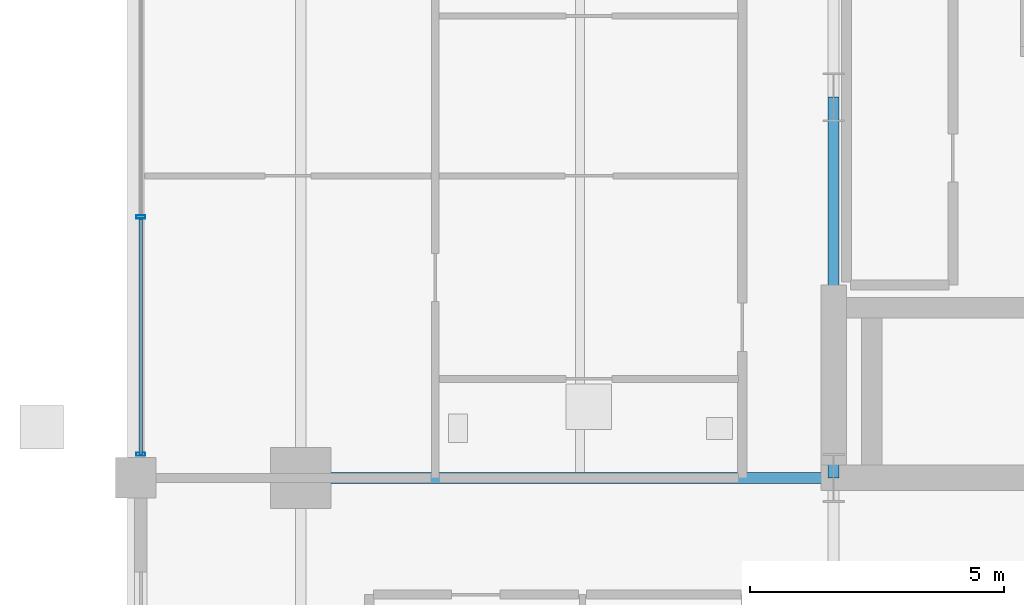
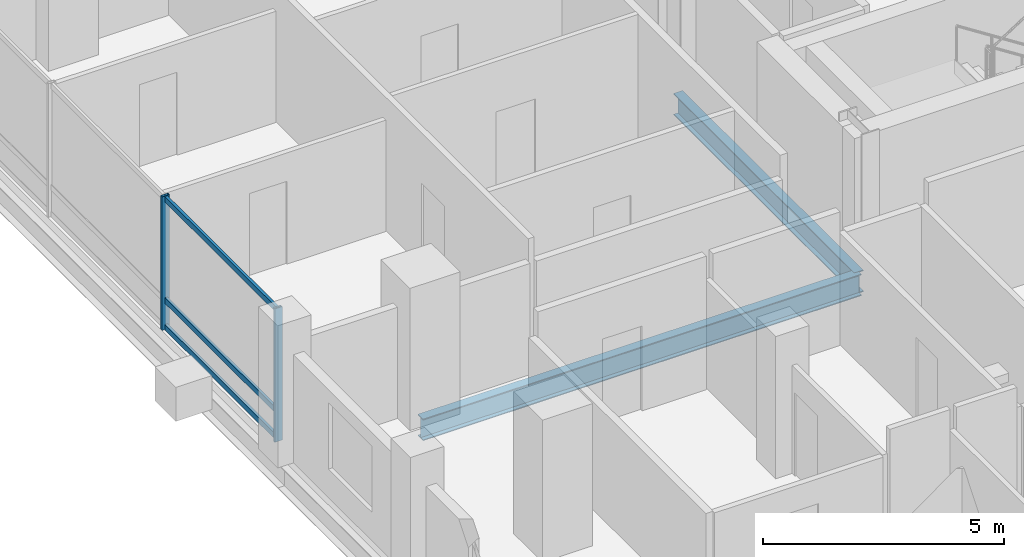
# One storey, part 4 of 20: 5 members, 2 beams, 1 element without a shape of its own.
"""IFC4 building model written with IfcOpenShell, lengths in metres."""

from ifc_helpers import new_model, si_unit, direction, frame, origin, origin_2d, place, context, subcontext, project, spatial, hollow_rectangle, i_section, extrude, material, layer, layer_set, material_profile, profile_set, type_object, element, aggregate, save


model = new_model("IFC4")

# Units and contexts
model_context = context("Model", 3, precision=1e-05, world=origin(), true_north=direction((0.0, 1.0)))
body_context = subcontext(model_context, "Body", "Model", "MODEL_VIEW")
ifc_project = project(units=[si_unit("LENGTHUNIT", "METRE"), si_unit("AREAUNIT", "SQUARE_METRE"), si_unit("VOLUMEUNIT", "CUBIC_METRE"), si_unit("PLANEANGLEUNIT", "RADIAN"), si_unit("MASSUNIT", "GRAM", prefix="KILO")], contexts=[model_context])

# Site, building, storey
site_placement = place(None, origin())
site = spatial("IfcSite", under=ifc_project, at=site_placement, CompositionType="ELEMENT")
building_placement = place(site_placement, origin())
building = spatial("IfcBuilding", under=site, at=building_placement, Name="Barlavira Tower and Art Museum", CompositionType="ELEMENT")
storey_placement = place(building_placement, frame((0.0, 0.0, 136.800048828125)))
storey = spatial("IfcBuildingStorey", under=building, at=storey_placement, Name="L34", CompositionType="ELEMENT", Elevation=136.800048828125)

# Curtain wall, members
ifc_material_1 = material(Name="Low-iron coastal laminated glass", Category="glass")
ifc_layer = layer(ifc_material_1, 0.18994140625, Name="Low-iron coastal laminated glass")
ifc_layer_set = layer_set([ifc_layer], Name="Low-iron coastal laminated glass")
curtain_wall_type = type_object("IfcCurtainWallType", Name="Pale-Metal Unitised Curtain Wall Zone 2", PredefinedType="NOTDEFINED", material=ifc_layer_set)
curtain_wall_placement = place(storey_placement, origin())
curtain_wall = element("IfcCurtainWall", 1, at=curtain_wall_placement, inside=storey, type_object=curtain_wall_type, Name="L34 Curtain Wall CW2-L34-W-B3", PredefinedType="NOTDEFINED")
ifc_material_2 = material(Name="Pale anodised aluminium", Category="aluminium")
ifc_material_profile_1 = material_profile(ifc_material_2, hollow_rectangle(XDim=0.06494140625, YDim=0.179931640625, WallThickness=0.00390625, at=origin_2d()), Name="ALU-MULL 65x180x4")
ifc_profile_set_1 = profile_set([ifc_material_profile_1], Name="Pale anodised aluminium")
member_type_1 = type_object("IfcMemberType", Name="Curtain Wall Pale-Metal Mullion 65x180", PredefinedType="MULLION", material=ifc_profile_set_1)
member_1_placement = place(storey_placement, frame((-20.14990234375, -2.360107421875, 0.0), z_axis=(0.0, 0.0, 1.0), x_axis=(0.0, -1.0, 0.0)))
member_1 = element("IfcMember", 2, at=member_1_placement, type_object=member_type_1, Name="CW2-L34-W-B3 Mullion 2", PredefinedType="MULLION", context=body_context, shape_type="SweptSolid", body=[
    extrude(hollow_rectangle(XDim=0.06494140625, YDim=0.179931640625, WallThickness=0.00390625, at=origin_2d()), origin(), (0.0, 0.0, 1.0), 3.3798828125),
])
member_2_placement = place(storey_placement, frame((-20.14990234375, -7.034912109375, 0.0), z_axis=(0.0, 0.0, 1.0), x_axis=(0.0, -1.0, 0.0)))
member_2 = element("IfcMember", 3, at=member_2_placement, type_object=member_type_1, Name="CW2-L34-W-B3 Mullion 3", PredefinedType="MULLION", context=body_context, shape_type="SweptSolid", body=[
    extrude(hollow_rectangle(XDim=0.06494140625, YDim=0.179931640625, WallThickness=0.00390625, at=origin_2d()), origin(), (0.0, 0.0, 1.0), 3.3798828125),
])
ifc_material_profile_2 = material_profile(ifc_material_2, hollow_rectangle(XDim=0.06494140625, YDim=0.139892578125, WallThickness=0.00390625, at=origin_2d()), Name="ALU-TRAN 65x140x4")
ifc_profile_set_2 = profile_set([ifc_material_profile_2], Name="Pale anodised aluminium")
member_type_2 = type_object("IfcMemberType", Name="Curtain Wall Pale-Metal Transom 65x140", PredefinedType="USERDEFINED", material=ifc_profile_set_2)
member_3_placement = place(storey_placement, frame((-20.14990234375, -2.405029296875, 0.070068359375), z_axis=(0.0, -1.0, 0.0), x_axis=(1.0, 0.0, 0.0)))
member_3 = element("IfcMember", 4, at=member_3_placement, type_object=member_type_2, Name="CW2-L34-W-B3 Transom 2.1", ObjectType="TRANSOM", PredefinedType="USERDEFINED", context=body_context, shape_type="SweptSolid", body=[
    extrude(hollow_rectangle(XDim=0.06494140625, YDim=0.139892578125, WallThickness=0.00390625, at=origin_2d()), origin(), (0.0, 0.0, 1.0), 4.6298828125),
])
member_4_placement = place(storey_placement, frame((-20.14990234375, -2.405029296875, 0.743896484375), z_axis=(0.0, -1.0, 0.0), x_axis=(1.0, 0.0, 0.0)))
member_4 = element("IfcMember", 5, at=member_4_placement, type_object=member_type_2, Name="CW2-L34-W-B3 Transom 2.2", ObjectType="TRANSOM", PredefinedType="USERDEFINED", context=body_context, shape_type="SweptSolid", body=[
    extrude(hollow_rectangle(XDim=0.06494140625, YDim=0.139892578125, WallThickness=0.00390625, at=origin_2d()), origin(), (0.0, 0.0, 1.0), 4.6298828125),
])
member_5_placement = place(storey_placement, frame((-20.14990234375, -2.405029296875, 3.31005859375), z_axis=(0.0, -1.0, 0.0), x_axis=(1.0, 0.0, 0.0)))
member_5 = element("IfcMember", 6, at=member_5_placement, type_object=member_type_2, Name="CW2-L34-W-B3 Transom 2.3", ObjectType="TRANSOM", PredefinedType="USERDEFINED", context=body_context, shape_type="SweptSolid", body=[
    extrude(hollow_rectangle(XDim=0.06494140625, YDim=0.139892578125, WallThickness=0.00390625, at=origin_2d()), origin(), (0.0, 0.0, 1.0), 4.6298828125),
])
aggregate(curtain_wall, [member_1, member_2, member_3, member_4, member_5])

# Beams
ifc_material_3 = material(Name="Steel S355", Category="steel")
ifc_material_profile_3 = material_profile(ifc_material_3, i_section(OverallWidth=0.214111328125, OverallDepth=0.549072265625, WebThickness=0.0146484375, FlangeThickness=0.023681640625, at=origin_2d()), Name="W530x138.0")
ifc_profile_set_3 = profile_set([ifc_material_profile_3], Name="Steel S355")
beam_type = type_object("IfcBeamType", Name="Zone 1 Primary Floor Girder W530x138 Steel S355", PredefinedType="BEAM", material=ifc_profile_set_3)
beam_1_placement = place(storey_placement, frame((-6.5, -7.5, -0.49462890625), z_axis=(0.0, 1.0, 0.0), x_axis=(-1.0, 0.0, 0.0)))
element("IfcBeam", 7, at=beam_1_placement, inside=storey, type_object=beam_type, Name="L34 Girder C-W1", PredefinedType="BEAM", context=body_context, shape_type="SweptSolid", body=[
    extrude(i_section(OverallWidth=0.214111328125, OverallDepth=0.549072265625, WebThickness=0.0146484375, FlangeThickness=0.023681640625, at=origin_2d()), origin(), (0.0, 0.0, 1.0), 7.5),
])
beam_2_placement = place(storey_placement, frame((-17.0, -7.5, -0.49462890625), z_axis=(1.0, 0.0, 0.0), x_axis=(0.0, 1.0, 0.0)))
element("IfcBeam", 8, at=beam_2_placement, inside=storey, type_object=beam_type, Name="L34 Girder R-W1", PredefinedType="BEAM", context=body_context, shape_type="SweptSolid", body=[
    extrude(i_section(OverallWidth=0.214111328125, OverallDepth=0.549072265625, WebThickness=0.0146484375, FlangeThickness=0.023681640625, at=origin_2d()), origin(), (0.0, 0.0, 1.0), 10.5),
])

save(model, "model.ifc")
